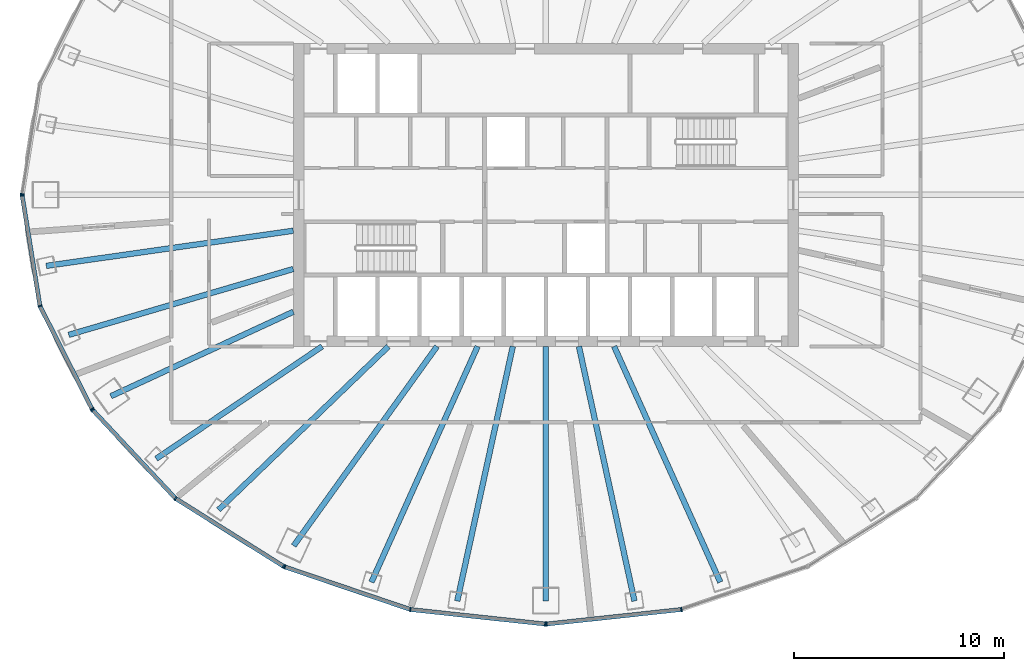
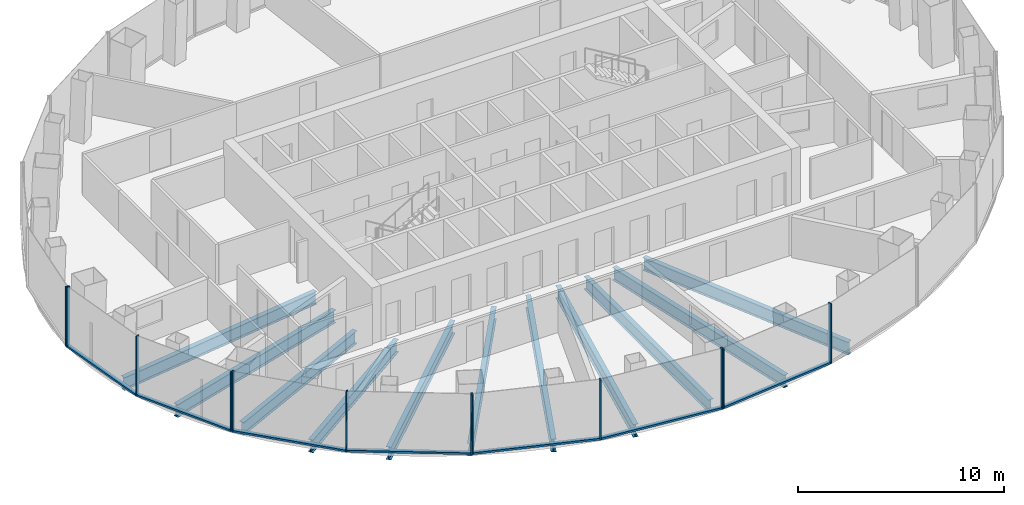
# One storey, part 2 of 12: 19 members, 11 beams, 5 elements without a shape of their own.
"""IFC4 building model written with IfcOpenShell, lengths in metres."""

from ifc_helpers import new_model, si_unit, direction, frame, origin, origin_2d, place, context, subcontext, project, spatial, rectangle, i_section, extrude, material, layer, layer_set, material_profile, profile_set, type_object, element, aggregate, save


model = new_model("IFC4")

# Units and contexts
model_context = context("Model", 3, precision=1e-05, world=origin(), true_north=direction((0.0, 1.0)))
body_context = subcontext(model_context, "Body", "Model", "MODEL_VIEW")
ifc_project = project(units=[si_unit("LENGTHUNIT", "METRE"), si_unit("AREAUNIT", "SQUARE_METRE"), si_unit("VOLUMEUNIT", "CUBIC_METRE"), si_unit("PLANEANGLEUNIT", "RADIAN"), si_unit("MASSUNIT", "GRAM", prefix="KILO")], contexts=[model_context])

# Site, building, storey
site_placement = place(None, origin())
site = spatial("IfcSite", under=ifc_project, at=site_placement, CompositionType="ELEMENT")
building_placement = place(site_placement, origin())
building = spatial("IfcBuilding", under=site, at=building_placement, Name="Siaravel Broadcast Tower", CompositionType="ELEMENT")
storey_placement = place(building_placement, frame((0.0, 0.0, 134.10009765625)))
storey = spatial("IfcBuildingStorey", under=building, at=storey_placement, Name="L32", CompositionType="ELEMENT", Elevation=134.10009765625)

# Beams
ifc_material_1 = material(Name="Steel S355", Category="steel")
ifc_material_profile_1 = material_profile(ifc_material_1, i_section(OverallWidth=0.26513671875, OverallDepth=0.75390625, WebThickness=0.0126953125, FlangeThickness=0.017578125, FilletRadius=0.0166015625, at=origin_2d()))
ifc_profile_set_1 = profile_set([ifc_material_profile_1], Name="Steel S355")
beam_type = type_object("IfcBeamType", Name="BM-UB 762x267x147", PredefinedType="BEAM", material=ifc_profile_set_1)
beam_1_placement = place(storey_placement, frame((-23.740478515625, -3.37353515625, -0.527099609375), z_axis=(0.990052581, 0.140697859, 0.0), x_axis=(-0.140697859, 0.990052581, 0.0)))
element("IfcBeam", 1, at=beam_1_placement, inside=storey, type_object=beam_type, Name="Radial beam RB20", PredefinedType="BEAM", context=body_context, shape_type="SweptSolid", body=[
    extrude(i_section(OverallWidth=0.26513671875, OverallDepth=0.75390625, WebThickness=0.0126953125, FlangeThickness=0.017578125, FilletRadius=0.0166015625, at=origin_2d()), origin(), (0.0, 0.0, 1.0), 11.8583984375),
])
beam_2_placement = place(storey_placement, frame((-22.668212890625, -6.651123046875, -0.527099609375), z_axis=(0.959549921, 0.281538539, 0.0), x_axis=(-0.281538539, 0.959549921, 0.0)))
element("IfcBeam", 2, at=beam_2_placement, inside=storey, type_object=beam_type, Name="Radial beam RB21", PredefinedType="BEAM", context=body_context, shape_type="SweptSolid", body=[
    extrude(i_section(OverallWidth=0.26513671875, OverallDepth=0.75390625, WebThickness=0.0126953125, FlangeThickness=0.017578125, FilletRadius=0.0166015625, at=origin_2d()), origin(), (0.0, 0.0, 1.0), 11.117919921875),
])
beam_3_placement = place(storey_placement, frame((-20.665771484375, -9.564697265625, -0.527099609375), z_axis=(0.907514375, 0.420021022, 0.0), x_axis=(-0.420021022, 0.907514375, 0.0)))
element("IfcBeam", 3, at=beam_3_placement, inside=storey, type_object=beam_type, Name="Radial beam RB22", PredefinedType="BEAM", context=body_context, shape_type="SweptSolid", body=[
    extrude(i_section(OverallWidth=0.26513671875, OverallDepth=0.75390625, WebThickness=0.0126953125, FlangeThickness=0.017578125, FilletRadius=0.0166015625, at=origin_2d()), origin(), (0.0, 0.0, 1.0), 9.548828125),
])
beam_4_placement = place(storey_placement, frame((-18.516357421875, -12.538330078125, -0.527099609375), z_axis=(0.82802046, 0.560697884, 0.0), x_axis=(-0.560697884, 0.82802046, 0.0)))
element("IfcBeam", 4, at=beam_4_placement, inside=storey, type_object=beam_type, Name="Radial beam RB23", PredefinedType="BEAM", context=body_context, shape_type="SweptSolid", body=[
    extrude(i_section(OverallWidth=0.26513671875, OverallDepth=0.75390625, WebThickness=0.0126953125, FlangeThickness=0.017578125, FilletRadius=0.0166015625, at=origin_2d()), origin(), (0.0, 0.0, 1.0), 9.52099609375),
])
beam_5_placement = place(storey_placement, frame((-15.552978515625, -14.965576171875, -0.527099609375), z_axis=(0.720578335, 0.693373538, 0.0), x_axis=(-0.693373538, 0.720578335, 0.0)))
element("IfcBeam", 5, at=beam_5_placement, inside=storey, type_object=beam_type, Name="Radial beam RB24", PredefinedType="BEAM", context=body_context, shape_type="SweptSolid", body=[
    extrude(i_section(OverallWidth=0.26513671875, OverallDepth=0.75390625, WebThickness=0.0126953125, FlangeThickness=0.017578125, FilletRadius=0.0166015625, at=origin_2d()), origin(), (0.0, 0.0, 1.0), 11.19970703125),
])
beam_6_placement = place(storey_placement, frame((-11.980224609375, -16.669677734375, -0.527099609375), z_axis=(0.58359636, 0.812043895, 0.0), x_axis=(-0.812043895, 0.58359636, 0.0)))
element("IfcBeam", 6, at=beam_6_placement, inside=storey, type_object=beam_type, Name="Radial beam RB25", PredefinedType="BEAM", context=body_context, shape_type="SweptSolid", body=[
    extrude(i_section(OverallWidth=0.26513671875, OverallDepth=0.75390625, WebThickness=0.0126953125, FlangeThickness=0.017578125, FilletRadius=0.0166015625, at=origin_2d()), origin(), (0.0, 0.0, 1.0), 11.66162109375),
])
beam_7_placement = place(storey_placement, frame((-8.2880859375, -18.39990234375, -0.527099609375), z_axis=(0.410699345, 0.911770831, 0.0), x_axis=(-0.911770831, 0.410699345, 0.0)))
element("IfcBeam", 7, at=beam_7_placement, inside=storey, type_object=beam_type, Name="Radial beam RB26", PredefinedType="BEAM", context=body_context, shape_type="SweptSolid", body=[
    extrude(i_section(OverallWidth=0.26513671875, OverallDepth=0.75390625, WebThickness=0.0126953125, FlangeThickness=0.017578125, FilletRadius=0.0166015625, at=origin_2d()), origin(), (0.0, 0.0, 1.0), 12.28369140625),
])
beam_8_placement = place(storey_placement, frame((-4.209716796875, -19.294921875, -0.527099609375), z_axis=(0.213168102, 0.977015537, 0.0), x_axis=(-0.977015537, 0.213168102, 0.0)))
element("IfcBeam", 8, at=beam_8_placement, inside=storey, type_object=beam_type, Name="Radial beam RB27", PredefinedType="BEAM", context=body_context, shape_type="SweptSolid", body=[
    extrude(i_section(OverallWidth=0.26513671875, OverallDepth=0.75390625, WebThickness=0.0126953125, FlangeThickness=0.017578125, FilletRadius=0.0166015625, at=origin_2d()), origin(), (0.0, 0.0, 1.0), 12.37939453125),
])
beam_9_placement = place(storey_placement, frame((0.0, -19.296630859375, -0.527099609375), z_axis=(0.0, 1.0, 0.0), x_axis=(-1.0, 0.0, 0.0)))
element("IfcBeam", 9, at=beam_9_placement, inside=storey, type_object=beam_type, Name="Radial beam RB28", PredefinedType="BEAM", context=body_context, shape_type="SweptSolid", body=[
    extrude(i_section(OverallWidth=0.26513671875, OverallDepth=0.75390625, WebThickness=0.0126953125, FlangeThickness=0.017578125, FilletRadius=0.0166015625, at=origin_2d()), origin(), (0.0, 0.0, 1.0), 12.0966796875),
])
beam_10_placement = place(storey_placement, frame((4.209716796875, -19.294921875, -0.527099609375), z_axis=(-0.213168102, 0.977015537, 0.0), x_axis=(-0.977015537, -0.213168102, 0.0)))
element("IfcBeam", 10, at=beam_10_placement, inside=storey, type_object=beam_type, Name="Radial beam RB29", PredefinedType="BEAM", context=body_context, shape_type="SweptSolid", body=[
    extrude(i_section(OverallWidth=0.26513671875, OverallDepth=0.75390625, WebThickness=0.0126953125, FlangeThickness=0.017578125, FilletRadius=0.0166015625, at=origin_2d()), origin(), (0.0, 0.0, 1.0), 12.37939453125),
])
beam_11_placement = place(storey_placement, frame((8.2880859375, -18.39990234375, -0.527099609375), z_axis=(-0.410699345, 0.911770831, 0.0), x_axis=(-0.911770831, -0.410699345, 0.0)))
element("IfcBeam", 11, at=beam_11_placement, inside=storey, type_object=beam_type, Name="Radial beam RB30", PredefinedType="BEAM", context=body_context, shape_type="SweptSolid", body=[
    extrude(i_section(OverallWidth=0.26513671875, OverallDepth=0.75390625, WebThickness=0.0126953125, FlangeThickness=0.017578125, FilletRadius=0.0166015625, at=origin_2d()), origin(), (0.0, 0.0, 1.0), 12.28369140625),
])

# Curtain wall, member
ifc_material_2 = material(Name="Aluminium 6063-T6", Category="aluminium")
ifc_layer = layer(ifc_material_2, 0.199951171875)
ifc_layer_set = layer_set([ifc_layer], Name="Aluminium 6063-T6")
curtain_wall_type = type_object("IfcCurtainWallType", Name="Unitised curtain wall, zone 2", PredefinedType="NOTDEFINED", material=ifc_layer_set)
curtain_wall_1_placement = place(storey_placement, origin())
curtain_wall_1 = element("IfcCurtainWall", 12, at=curtain_wall_1_placement, inside=storey, type_object=curtain_wall_type, Name="L32 Unitised curtain wall, zone 2 06", PredefinedType="NOTDEFINED")
ifc_material_profile_2 = material_profile(ifc_material_2, rectangle(XDim=0.199951171875, YDim=0.06494140625, at=origin_2d()))
ifc_profile_set_2 = profile_set([ifc_material_profile_2], Name="Aluminium 6063-T6")
member_type_1 = type_object("IfcMemberType", Name="CW-Z2 mullion", PredefinedType="MULLION", material=ifc_profile_set_2)
member_1_placement = place(storey_placement, frame((-24.881591796875, 0.031982421875, 0.0), z_axis=(0.0, 0.0, 1.0), x_axis=(0.987329298, -0.158684773, 0.0)))
member_1 = element("IfcMember", 13, at=member_1_placement, type_object=member_type_1, Name="CW-Z2 mullion 3", PredefinedType="MULLION", context=body_context, shape_type="SweptSolid", body=[
    extrude(rectangle(XDim=0.199951171875, YDim=0.06494140625, at=origin_2d()), origin(), (0.0, 0.0, 1.0), 3.5498046875),
])
aggregate(curtain_wall_1, [member_1])

# Curtain wall, members
curtain_wall_2_placement = place(storey_placement, origin())
curtain_wall_2 = element("IfcCurtainWall", 14, at=curtain_wall_2_placement, inside=storey, type_object=curtain_wall_type, Name="L32 Unitised curtain wall, zone 2 07", PredefinedType="NOTDEFINED")
member_2_placement = place(storey_placement, frame((-24.881591796875, -0.031982421875, 0.0), z_axis=(0.0, 0.0, 1.0), x_axis=(0.987329298, 0.158684773, 0.0)))
member_2 = element("IfcMember", 15, at=member_2_placement, type_object=member_type_1, Name="CW-Z2 mullion 1", PredefinedType="MULLION", context=body_context, shape_type="SweptSolid", body=[
    extrude(rectangle(XDim=0.199951171875, YDim=0.06494140625, at=origin_2d()), origin(), (0.0, 0.0, 1.0), 3.5498046875),
])
member_3_placement = place(storey_placement, frame((-24.0380859375, -5.281005859375, 0.0), z_axis=(0.0, 0.0, 1.0), x_axis=(0.951177626, 0.308644007, 0.0)))
member_3 = element("IfcMember", 16, at=member_3_placement, type_object=member_type_1, Name="CW-Z2 mullion 2", PredefinedType="MULLION", context=body_context, shape_type="SweptSolid", body=[
    extrude(rectangle(XDim=0.199951171875, YDim=0.06494140625, at=origin_2d()), origin(), (0.0, 0.0, 1.0), 3.5498046875),
])
member_4_placement = place(storey_placement, frame((-21.56494140625, -10.172119140625, 0.0), z_axis=(0.0, 0.0, 1.0), x_axis=(0.892392954, 0.451259145, 0.0)))
member_4 = element("IfcMember", 17, at=member_4_placement, type_object=member_type_1, Name="CW-Z2 mullion 3", PredefinedType="MULLION", context=body_context, shape_type="SweptSolid", body=[
    extrude(rectangle(XDim=0.199951171875, YDim=0.06494140625, at=origin_2d()), origin(), (0.0, 0.0, 1.0), 3.5498046875),
])

curtain_wall_3_placement = place(storey_placement, origin())
curtain_wall_3 = element("IfcCurtainWall", 18, at=curtain_wall_3_placement, inside=storey, type_object=curtain_wall_type, Name="L32 Unitised curtain wall, zone 2 08", PredefinedType="NOTDEFINED")
member_5_placement = place(storey_placement, frame((-21.528076171875, -10.224609375, 0.0), z_axis=(0.0, 0.0, 1.0), x_axis=(0.729806913, 0.683653326, 0.0)))
member_5 = element("IfcMember", 19, at=member_5_placement, type_object=member_type_1, Name="CW-Z2 mullion 1", PredefinedType="MULLION", context=body_context, shape_type="SweptSolid", body=[
    extrude(rectangle(XDim=0.199951171875, YDim=0.06494140625, at=origin_2d()), origin(), (0.0, 0.0, 1.0), 3.5498046875),
])
member_6_placement = place(storey_placement, frame((-17.593994140625, -14.42431640625, 0.0), z_axis=(0.0, 0.0, 1.0), x_axis=(0.63622045, 0.771507317, 0.0)))
member_6 = element("IfcMember", 20, at=member_6_placement, type_object=member_type_1, Name="CW-Z2 mullion 2", PredefinedType="MULLION", context=body_context, shape_type="SweptSolid", body=[
    extrude(rectangle(XDim=0.199951171875, YDim=0.06494140625, at=origin_2d()), origin(), (0.0, 0.0, 1.0), 3.5498046875),
])
member_7_placement = place(storey_placement, frame((-12.46728515625, -17.646484375, 0.0), z_axis=(0.0, 0.0, 1.0), x_axis=(0.532151141, 0.846649374, 0.0)))
member_7 = element("IfcMember", 21, at=member_7_placement, type_object=member_type_1, Name="CW-Z2 mullion 3", PredefinedType="MULLION", context=body_context, shape_type="SweptSolid", body=[
    extrude(rectangle(XDim=0.199951171875, YDim=0.06494140625, at=origin_2d()), origin(), (0.0, 0.0, 1.0), 3.5498046875),
])

curtain_wall_4_placement = place(storey_placement, origin())
curtain_wall_4 = element("IfcCurtainWall", 22, at=curtain_wall_4_placement, inside=storey, type_object=curtain_wall_type, Name="L32 Unitised curtain wall, zone 2 09", PredefinedType="NOTDEFINED")
member_8_placement = place(storey_placement, frame((-12.408935546875, -17.67431640625, 0.0), z_axis=(0.0, 0.0, 1.0), x_axis=(0.321302097, 0.946976749, 0.0)))
member_8 = element("IfcMember", 23, at=member_8_placement, type_object=member_type_1, Name="CW-Z2 mullion 1", PredefinedType="MULLION", context=body_context, shape_type="SweptSolid", body=[
    extrude(rectangle(XDim=0.199951171875, YDim=0.06494140625, at=origin_2d()), origin(), (0.0, 0.0, 1.0), 3.5498046875),
])
member_9_placement = place(storey_placement, frame((-6.43896484375, -19.699951171875, 0.0), z_axis=(0.0, 0.0, 1.0), x_axis=(0.215559096, 0.976490797, 0.0)))
member_9 = element("IfcMember", 24, at=member_9_placement, type_object=member_type_1, Name="CW-Z2 mullion 2", PredefinedType="MULLION", context=body_context, shape_type="SweptSolid", body=[
    extrude(rectangle(XDim=0.199951171875, YDim=0.06494140625, at=origin_2d()), origin(), (0.0, 0.0, 1.0), 3.5498046875),
])
member_10_placement = place(storey_placement, frame((-0.0322265625, -20.390869140625, 0.0), z_axis=(0.0, 0.0, 1.0), x_axis=(0.107218035, 0.994235532, 0.0)))
member_10 = element("IfcMember", 25, at=member_10_placement, type_object=member_type_1, Name="CW-Z2 mullion 3", PredefinedType="MULLION", context=body_context, shape_type="SweptSolid", body=[
    extrude(rectangle(XDim=0.199951171875, YDim=0.06494140625, at=origin_2d()), origin(), (0.0, 0.0, 1.0), 3.5498046875),
])

curtain_wall_5_placement = place(storey_placement, origin())
curtain_wall_5 = element("IfcCurtainWall", 26, at=curtain_wall_5_placement, inside=storey, type_object=curtain_wall_type, Name="L32 Unitised curtain wall, zone 2 10", PredefinedType="NOTDEFINED")
member_11_placement = place(storey_placement, frame((0.0322265625, -20.390869140625, 0.0), z_axis=(0.0, 0.0, 1.0), x_axis=(-0.107218035, 0.994235532, 0.0)))
member_11 = element("IfcMember", 27, at=member_11_placement, type_object=member_type_1, Name="CW-Z2 mullion 1", PredefinedType="MULLION", context=body_context, shape_type="SweptSolid", body=[
    extrude(rectangle(XDim=0.199951171875, YDim=0.06494140625, at=origin_2d()), origin(), (0.0, 0.0, 1.0), 3.5498046875),
])
member_12_placement = place(storey_placement, frame((6.43896484375, -19.699951171875, 0.0), z_axis=(0.0, 0.0, 1.0), x_axis=(-0.215559096, 0.976490797, 0.0)))
member_12 = element("IfcMember", 28, at=member_12_placement, type_object=member_type_1, Name="CW-Z2 mullion 2", PredefinedType="MULLION", context=body_context, shape_type="SweptSolid", body=[
    extrude(rectangle(XDim=0.199951171875, YDim=0.06494140625, at=origin_2d()), origin(), (0.0, 0.0, 1.0), 3.5498046875),
])

# Member
ifc_material_profile_3 = material_profile(ifc_material_2, rectangle(XDim=0.199951171875, YDim=0.110107421875, at=origin_2d()))
ifc_profile_set_3 = profile_set([ifc_material_profile_3], Name="Aluminium 6063-T6")
member_type_2 = type_object("IfcMemberType", Name="CW-Z2 transom", PredefinedType="USERDEFINED", material=ifc_profile_set_3)
member_13_placement = place(storey_placement, frame((-24.876708984375, -0.064208984375, 0.054931640625), z_axis=(0.158726655, -0.987322566, 0.0), x_axis=(0.987322566, 0.158726655, 0.0)))
member_13 = element("IfcMember", 29, at=member_13_placement, type_object=member_type_2, Name="CW-Z2 transom 1", ObjectType="TRANSOM", PredefinedType="USERDEFINED", context=body_context, shape_type="SweptSolid", body=[
    extrude(rectangle(XDim=0.199951171875, YDim=0.110107421875, at=origin_2d()), origin(), (0.0, 0.0, 1.0), 5.251220703125),
])

member_14_placement = place(storey_placement, frame((-24.0234375, -5.31005859375, 0.054931640625), z_axis=(0.45124818, -0.892398498, 0.0), x_axis=(0.892398498, 0.45124818, 0.0)))
member_14 = element("IfcMember", 30, at=member_14_placement, type_object=member_type_2, Name="CW-Z2 transom 2", ObjectType="TRANSOM", PredefinedType="USERDEFINED", context=body_context, shape_type="SweptSolid", body=[
    extrude(rectangle(XDim=0.199951171875, YDim=0.110107421875, at=origin_2d()), origin(), (0.0, 0.0, 1.0), 5.415771484375),
])

aggregate(curtain_wall_2, [member_2, member_3, member_4, member_13, member_14])

member_15_placement = place(storey_placement, frame((-21.505859375, -10.248291015625, 0.054931640625), z_axis=(0.683644181, -0.72981548, 0.0), x_axis=(0.72981548, 0.683644181, 0.0)))
member_15 = element("IfcMember", 31, at=member_15_placement, type_object=member_type_2, Name="CW-Z2 transom 1", ObjectType="TRANSOM", PredefinedType="USERDEFINED", context=body_context, shape_type="SweptSolid", body=[
    extrude(rectangle(XDim=0.199951171875, YDim=0.110107421875, at=origin_2d()), origin(), (0.0, 0.0, 1.0), 5.689697265625),
])

member_16_placement = place(storey_placement, frame((-17.56640625, -14.441650390625, 0.054931640625), z_axis=(0.84664232, -0.532162364, 0.0), x_axis=(0.532162364, 0.84664232, 0.0)))
member_16 = element("IfcMember", 32, at=member_16_placement, type_object=member_type_2, Name="CW-Z2 transom 2", ObjectType="TRANSOM", PredefinedType="USERDEFINED", context=body_context, shape_type="SweptSolid", body=[
    extrude(rectangle(XDim=0.199951171875, YDim=0.110107421875, at=origin_2d()), origin(), (0.0, 0.0, 1.0), 5.990234375),
])

aggregate(curtain_wall_3, [member_5, member_6, member_7, member_15, member_16])

member_17_placement = place(storey_placement, frame((-12.37841796875, -17.684814453125, 0.054931640625), z_axis=(0.946983377, -0.32128256, 0.0), x_axis=(0.32128256, 0.946983377, 0.0)))
member_17 = element("IfcMember", 33, at=member_17_placement, type_object=member_type_2, Name="CW-Z2 transom 1", ObjectType="TRANSOM", PredefinedType="USERDEFINED", context=body_context, shape_type="SweptSolid", body=[
    extrude(rectangle(XDim=0.199951171875, YDim=0.110107421875, at=origin_2d()), origin(), (0.0, 0.0, 1.0), 6.239501953125),
])

member_18_placement = place(storey_placement, frame((-6.40673828125, -19.703369140625, 0.054931640625), z_axis=(0.994236965, -0.107204748, 0.0), x_axis=(0.107204748, 0.994236965, 0.0)))
member_18 = element("IfcMember", 34, at=member_18_placement, type_object=member_type_2, Name="CW-Z2 transom 2", ObjectType="TRANSOM", PredefinedType="USERDEFINED", context=body_context, shape_type="SweptSolid", body=[
    extrude(rectangle(XDim=0.199951171875, YDim=0.110107421875, at=origin_2d()), origin(), (0.0, 0.0, 1.0), 6.37890625),
])

aggregate(curtain_wall_4, [member_8, member_9, member_10, member_17, member_18])

member_19_placement = place(storey_placement, frame((0.064697265625, -20.38720703125, 0.054931640625), z_axis=(0.994236965, 0.107204748, 0.0), x_axis=(-0.107204748, 0.994236965, 0.0)))
member_19 = element("IfcMember", 35, at=member_19_placement, type_object=member_type_2, Name="CW-Z2 transom 1", ObjectType="TRANSOM", PredefinedType="USERDEFINED", context=body_context, shape_type="SweptSolid", body=[
    extrude(rectangle(XDim=0.199951171875, YDim=0.110107421875, at=origin_2d()), origin(), (0.0, 0.0, 1.0), 6.37890625),
])

aggregate(curtain_wall_5, [member_11, member_12, member_19])

save(model, "model.ifc")
